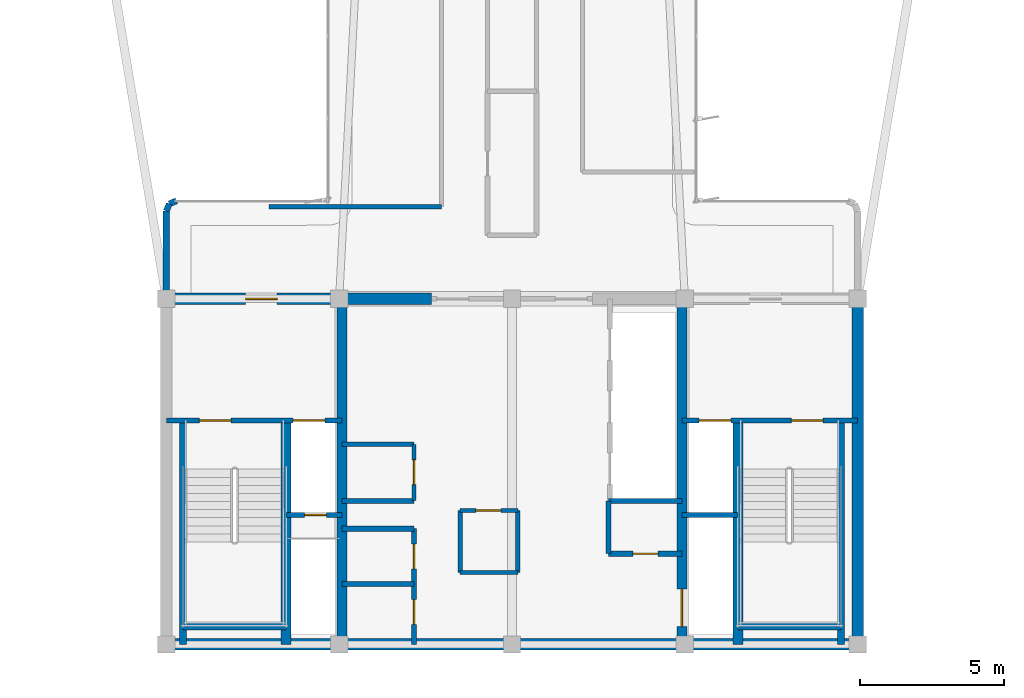
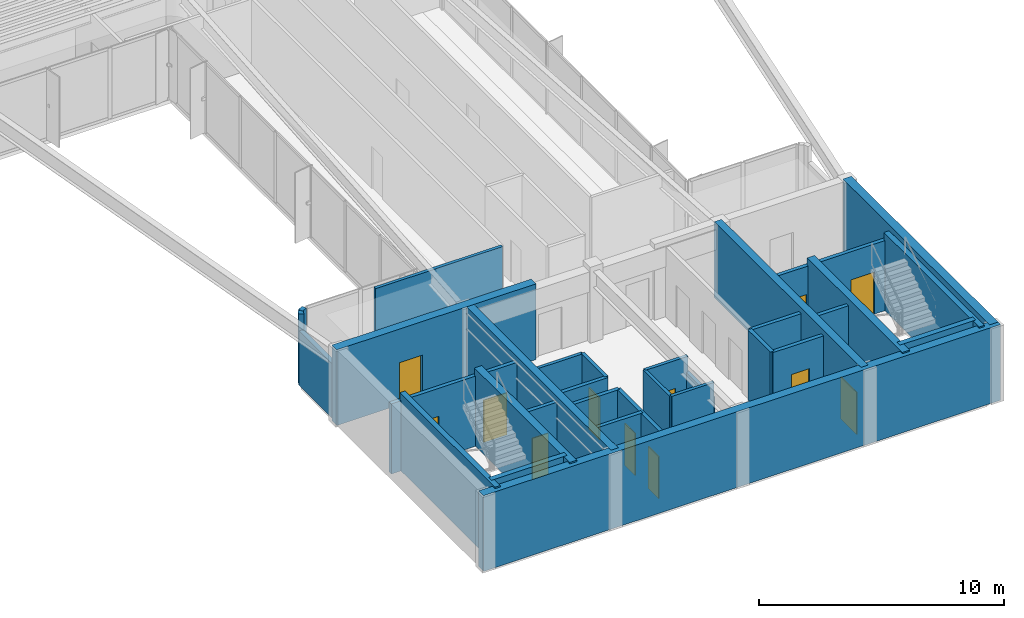
# One storey, part 10 of 15: 32 walls, 12 doors, 12 openings.
"""IFC4 building model written with IfcOpenShell, lengths in metres."""

from ifc_helpers import new_model, si_unit, direction, frame, frame_2d, origin, origin_2d, place, context, subcontext, project, spatial, rectangle, extrude, source, transform, mapped, material, layer, layer_set, type_object, element, fill, save


model = new_model("IFC4")

# Units and contexts
model_context = context("Model", 3, precision=1e-05, world=origin(), true_north=direction((0.0, 1.0)))
body_context = subcontext(model_context, "Body", "Model", "MODEL_VIEW")
ifc_project = project(units=[si_unit("LENGTHUNIT", "METRE"), si_unit("AREAUNIT", "SQUARE_METRE"), si_unit("VOLUMEUNIT", "CUBIC_METRE"), si_unit("PLANEANGLEUNIT", "RADIAN"), si_unit("MASSUNIT", "GRAM", prefix="KILO")], contexts=[model_context])

# Site, building, storey
site_placement = place(None, origin())
site = spatial("IfcSite", under=ifc_project, at=site_placement, CompositionType="ELEMENT")
building_placement = place(site_placement, origin())
building = spatial("IfcBuilding", under=site, at=building_placement, Name="Brelvock Crest Care Tower", CompositionType="ELEMENT")
storey_placement = place(building_placement, frame((0.0, 0.0, 241.919921875)))
storey = spatial("IfcBuildingStorey", under=building, at=storey_placement, Name="L61", CompositionType="ELEMENT", Elevation=241.919921875)

# Walls
ifc_material_1 = material(Name="Concrete S65 (65 MPa)", Category="concrete")
ifc_layer_1 = layer(ifc_material_1, 0.39990234375, Name="WL-CS4")
ifc_layer_set_1 = layer_set([ifc_layer_1], Name="Concrete S65 (65 MPa)")
wall_type_1 = type_object("IfcWallType", Name="WL-CS4", PredefinedType="SHEAR", material=ifc_layer_set_1)
wall_1_placement = place(storey_placement, frame((48.199951171875, 6.0, 0.0), z_axis=(0.0, 0.0, 1.0), x_axis=(-1.0, 0.0, 0.0)))
element("IfcWall", 1, at=wall_1_placement, inside=storey, type_object=wall_type_1, Name="L61 Core South Shear Wall", PredefinedType="SHEAR", context=body_context, shape_type="SweptSolid", body=[
    extrude(rectangle(XDim=24.39990234375, YDim=0.39990234375, at=frame_2d((12.199951171875, 0.0))), origin(), (0.0, 0.0, 1.0), 3.780029296875),
])
wall_2_placement = place(storey_placement, frame((48.0, 18.0, 0.0), z_axis=(0.0, 0.0, 1.0), x_axis=(0.0, -1.0, 0.0)))
element("IfcWall", 2, at=wall_2_placement, inside=storey, type_object=wall_type_1, Name="L61 Core East Shear Wall", PredefinedType="SHEAR", context=body_context, shape_type="SweptSolid", body=[
    extrude(rectangle(XDim=12.0, YDim=0.39990234375, at=frame_2d((6.0, 0.0))), origin(), (0.0, 0.0, 1.0), 3.780029296875),
])

# Wall, opening, door
wall_3_placement = place(storey_placement, frame((23.800048828125, 18.0, 0.0), z_axis=(0.0, 0.0, 1.0), x_axis=(1.0, 0.0, 0.0)))
wall_3 = element("IfcWall", 3, at=wall_3_placement, inside=storey, type_object=wall_type_1, Name="L61 Core North-West Shear Wall", PredefinedType="SHEAR", context=body_context, shape_type="SweptSolid", body=[
    extrude(rectangle(XDim=9.39990234375, YDim=0.39990234375, at=frame_2d((4.699951171875, 0.0))), origin(), (0.0, 0.0, 1.0), 3.780029296875),
])
opening_1_placement = place(wall_3_placement, frame((2.949951171875, 0.0, 0.0)))
opening_1 = element("IfcOpeningElement", 4, at=opening_1_placement, cuts=wall_3, Name="Opening FD-1", PredefinedType="OPENING", context=body_context, shape_type="SweptSolid", body=[
    extrude(rectangle(XDim=1.10009765625, YDim=2.10009765625, at=origin_2d()), frame((0.550048828125, 0.2099609375, 1.050048828125), z_axis=(0.0, -1.0, 0.0), x_axis=(1.0, 0.0, 0.0)), (0.0, 0.0, 1.0), 0.419921875),
])
ifc_material_2 = material(Name="Steel Grade 350", Category="steel")
door_type_1 = type_object("IfcDoorType", Name="DR-FFL1", OperationType="NOTDEFINED", PredefinedType="DOOR", material=ifc_material_2)
shared_shape_1 = source(origin(), body_context, "Body", "SweptSolid", [
    extrude(rectangle(XDim=1.10009765625, YDim=2.10009765625, at=origin_2d()), frame((0.550048828125, 0.02490234375, 1.050048828125), z_axis=(0.0, -1.0, 0.0), x_axis=(1.0, 0.0, 0.0)), (0.0, 0.0, 1.0), 0.050048828125),
])
door_1_placement = place(opening_1_placement, origin())
door_1 = element("IfcDoor", 5, at=door_1_placement, inside=storey, type_object=door_type_1, Name="L61 Firefighting Lobby FFL-1 Exit Door", OperationType="SINGLE_SWING_LEFT", OverallHeight=2.10009765625, OverallWidth=1.10009765625, PredefinedType="DOOR", context=body_context, shape_type="MappedRepresentation", body=[
    mapped(shared_shape_1, transform((0.0, 0.0, 0.0), x_axis=(1.0, 0.0, 0.0), y_axis=(0.0, 1.0, 0.0), z_axis=(0.0, 0.0, 1.0), scale=1.0)),
])
fill(opening_1, door_1)

# Wall
ifc_material_3 = material(Name="Concrete S80 (80 MPa)", Category="concrete")
ifc_layer_2 = layer(ifc_material_3, 0.35009765625, Name="WL-CS5")
ifc_layer_set_2 = layer_set([ifc_layer_2], Name="Concrete S80 (80 MPa)")
wall_type_2 = type_object("IfcWallType", Name="WL-CS5", PredefinedType="SHEAR", material=ifc_layer_set_2)
wall_4_placement = place(storey_placement, frame((30.10009765625, 6.0, 0.0), z_axis=(0.0, 0.0, 1.0), x_axis=(0.0, 1.0, 0.0)))
element("IfcWall", 6, at=wall_4_placement, inside=storey, type_object=wall_type_2, Name="L61 Core Internal Web Wall West", PredefinedType="SHEAR", context=body_context, shape_type="SweptSolid", body=[
    extrude(rectangle(XDim=12.0, YDim=0.35009765625, at=frame_2d((6.0, 0.0))), origin(), (0.0, 0.0, 1.0), 3.780029296875),
])

# Wall, opening, door
wall_5_placement = place(storey_placement, frame((41.89990234375, 18.0, 0.0), z_axis=(0.0, 0.0, 1.0), x_axis=(0.0, -1.0, 0.0)))
wall_5 = element("IfcWall", 7, at=wall_5_placement, inside=storey, type_object=wall_type_2, Name="L61 Core Internal Web Wall East", PredefinedType="SHEAR", context=body_context, shape_type="SweptSolid", body=[
    extrude(rectangle(XDim=12.0, YDim=0.35009765625, at=frame_2d((6.0, 0.0))), origin(), (0.0, 0.0, 1.0), 3.780029296875),
])
opening_2_placement = place(wall_5_placement, frame((10.080078125, 0.0, 0.0)))
opening_2 = element("IfcOpeningElement", 8, at=opening_2_placement, cuts=wall_5, Name="Opening LD-S", PredefinedType="OPENING", context=body_context, shape_type="SweptSolid", body=[
    extrude(rectangle(XDim=1.300048828125, YDim=2.10009765625, at=origin_2d()), frame((0.64990234375, 0.18505859375, 1.050048828125), z_axis=(0.0, -1.0, 0.0), x_axis=(1.0, 0.0, 0.0)), (0.0, 0.0, 1.0), 0.3701171875),
])
door_type_2 = type_object("IfcDoorType", Name="DR-LDS1", OperationType="NOTDEFINED", PredefinedType="DOOR", material=ifc_material_2)
shared_shape_2 = source(origin(), body_context, "Body", "SweptSolid", [
    extrude(rectangle(XDim=1.300048828125, YDim=2.10009765625, at=origin_2d()), frame((0.64990234375, 0.02490234375, 1.050048828125), z_axis=(0.0, -1.0, 0.0), x_axis=(1.0, 0.0, 0.0)), (0.0, 0.0, 1.0), 0.050048828125),
])
door_2_placement = place(opening_2_placement, origin())
door_2 = element("IfcDoor", 9, at=door_2_placement, inside=storey, type_object=door_type_2, Name="L61 Clinical Bed Lift SL-1 Landing Door", OperationType="SLIDING_TO_LEFT", OverallHeight=2.10009765625, OverallWidth=1.300048828125, PredefinedType="DOOR", context=body_context, shape_type="MappedRepresentation", body=[
    mapped(shared_shape_2, transform((0.0, 0.0, 0.0), x_axis=(1.0, 0.0, 0.0), y_axis=(0.0, 1.0, 0.0), z_axis=(0.0, 0.0, 1.0), scale=1.0)),
])
fill(opening_2, door_2)

# Walls
for number, where, z_axis, x_axis, name in (
    (10, (28.14990234375, 6.0, 0.0), (0.0, 0.0, 1.0), (0.0, 1.0, 0.0), "L61 Core Stair ST-1 East Shear Wall"),
    (11, (43.85009765625, 6.0, 0.0), (0.0, 0.0, 1.0), (0.0, 1.0, 0.0), "L61 Core Stair ST-2 West Shear Wall"),
):
    element("IfcWall", number, at=place(storey_placement, frame(where, z_axis=z_axis, x_axis=x_axis)), inside=storey, type_object=wall_type_2, Name=name, PredefinedType="SHEAR", context=body_context, shape_type="SweptSolid", body=[
        extrude(rectangle(XDim=7.780029296875, YDim=0.35009765625, at=frame_2d((3.89013671875, 0.0))), origin(), (0.0, 0.0, 1.0), 3.85009765625),
    ])
ifc_layer_3 = layer(ifc_material_3, 0.25, Name="WL-CS6")
ifc_layer_set_3 = layer_set([ifc_layer_3], Name="Concrete S80 (80 MPa)")
wall_type_3 = type_object("IfcWallType", Name="WL-CS6", PredefinedType="SHEAR", material=ifc_layer_set_3)
wall_6_placement = place(storey_placement, frame((24.580078125, 6.0, 0.0), z_axis=(0.0, 0.0, 1.0), x_axis=(0.0, 1.0, 0.0)))
element("IfcWall", 12, at=wall_6_placement, inside=storey, type_object=wall_type_3, Name="L61 Core Stair ST-1 West Shear Wall", PredefinedType="SHEAR", context=body_context, shape_type="SweptSolid", body=[
    extrude(rectangle(XDim=7.780029296875, YDim=0.25, at=frame_2d((3.89013671875, 0.0))), origin(), (0.0, 0.0, 1.0), 3.85009765625),
])
wall_7_placement = place(storey_placement, frame((24.580078125, 6.6201171875, 0.0), z_axis=(0.0, 0.0, 1.0), x_axis=(1.0, 0.0, 0.0)))
element("IfcWall", 13, at=wall_7_placement, inside=storey, type_object=wall_type_3, Name="L61 Core Stair ST-1 South Shear Wall", PredefinedType="SHEAR", context=body_context, shape_type="SweptSolid", body=[
    extrude(rectangle(XDim=3.56982421875, YDim=0.25, at=frame_2d((1.784912109375, 0.0))), origin(), (0.0, 0.0, 1.0), 3.85009765625),
])
wall_8_placement = place(storey_placement, frame((47.419921875, 6.0, 0.0), z_axis=(0.0, 0.0, 1.0), x_axis=(0.0, 1.0, 0.0)))
element("IfcWall", 14, at=wall_8_placement, inside=storey, type_object=wall_type_3, Name="L61 Core Stair ST-2 East Shear Wall", PredefinedType="SHEAR", context=body_context, shape_type="SweptSolid", body=[
    extrude(rectangle(XDim=7.780029296875, YDim=0.25, at=frame_2d((3.89013671875, 0.0))), origin(), (0.0, 0.0, 1.0), 3.85009765625),
])
wall_9_placement = place(storey_placement, frame((43.85009765625, 6.6201171875, 0.0), z_axis=(0.0, 0.0, 1.0), x_axis=(1.0, 0.0, 0.0)))
element("IfcWall", 15, at=wall_9_placement, inside=storey, type_object=wall_type_3, Name="L61 Core Stair ST-2 South Shear Wall", PredefinedType="SHEAR", context=body_context, shape_type="SweptSolid", body=[
    extrude(rectangle(XDim=3.56982421875, YDim=0.25, at=frame_2d((1.784912109375, 0.0))), origin(), (0.0, 0.0, 1.0), 3.85009765625),
])
ifc_material_4 = material(Name="Precast concrete N40 (40 MPa)", Category="concrete")
ifc_layer_4 = layer(ifc_material_4, 0.215087890625, Name="WL-EX2")
ifc_layer_set_4 = layer_set([ifc_layer_4], Name="Precast concrete N40 (40 MPa)")
wall_type_4 = type_object("IfcWallType", Name="WL-EX2", PredefinedType="SOLIDWALL", material=ifc_layer_set_4)
wall_10_placement = place(storey_placement, frame((24.0, 18.280029296875, 0.0), z_axis=(0.0, 0.0, 1.0), x_axis=(0.0, 1.0, 0.0)))
element("IfcWall", 16, at=wall_10_placement, inside=storey, type_object=wall_type_4, Name="L61 Rounded Corner Wall 07", PredefinedType="SOLIDWALL", context=body_context, shape_type="SweptSolid", body=[
    extrude(rectangle(XDim=2.77001953125, YDim=0.215087890625, at=frame_2d((1.385009765625, 0.0))), origin(), (0.0, 0.0, 1.0), 2.718017578125),
])
wall_11_placement = place(storey_placement, frame((24.0, 21.050048828125, 0.0), z_axis=(0.0, 0.0, 1.0), x_axis=(0.382673670509, 0.923883575944, 0.0)))
element("IfcWall", 17, at=wall_11_placement, inside=storey, type_object=wall_type_4, Name="L61 Rounded Corner Wall 08", PredefinedType="SOLIDWALL", context=body_context, shape_type="SweptSolid", body=[
    extrude(rectangle(XDim=0.26806640625, YDim=0.215087890625, at=frame_2d((0.134033203125, 0.0))), origin(), (0.0, 0.0, 1.0), 3.530029296875),
])
wall_12_placement = place(storey_placement, frame((24.1025390625, 21.297607421875, 0.0), z_axis=(0.0, 0.0, 1.0), x_axis=(0.924205486139, 0.381895560841, 0.0)))
element("IfcWall", 18, at=wall_12_placement, inside=storey, type_object=wall_type_4, Name="L61 Rounded Corner Wall 09", PredefinedType="SOLIDWALL", context=body_context, shape_type="SweptSolid", body=[
    extrude(rectangle(XDim=0.267822265625, YDim=0.215087890625, at=frame_2d((0.1337890625, 0.0))), origin(), (0.0, 0.0, 1.0), 3.530029296875),
])
ifc_material_5 = material(Name="Masonry Blockwork Acoustic Partition", Category="masonry")
ifc_layer_5 = layer(ifc_material_5, 0.14990234375, Name="WL-INT1")
ifc_layer_set_5 = layer_set([ifc_layer_5], Name="Masonry Blockwork Acoustic Partition")
wall_type_5 = type_object("IfcWallType", Name="WL-INT1", PredefinedType="PARTITIONING", material=ifc_layer_set_5)
wall_13_placement = place(storey_placement, frame((30.10009765625, 12.949951171875, 0.0), z_axis=(0.0, 0.0, 1.0), x_axis=(1.0, 0.0, 0.0)))
element("IfcWall", 19, at=wall_13_placement, inside=storey, type_object=wall_type_5, Name="L61 Interior Wall WL-CRCL-N2-L61", PredefinedType="PARTITIONING", context=body_context, shape_type="SweptSolid", body=[
    extrude(rectangle(XDim=2.5, YDim=0.14990234375, at=frame_2d((1.25, 0.0))), origin(), (0.0, 0.0, 1.0), 3.5),
])

# Wall, opening, door
wall_14_placement = place(storey_placement, frame((32.60009765625, 11.0, 0.0), z_axis=(0.0, 0.0, 1.0), x_axis=(0.0, 1.0, 0.0)))
wall_14 = element("IfcWall", 20, at=wall_14_placement, inside=storey, type_object=wall_type_5, Name="L61 Interior Wall WL-CRCL-E-L61", PredefinedType="PARTITIONING", context=body_context, shape_type="SweptSolid", body=[
    extrude(rectangle(XDim=1.949951171875, YDim=0.14990234375, at=frame_2d((0.97509765625, 0.0))), origin(), (0.0, 0.0, 1.0), 3.5),
])
opening_3_placement = place(wall_14_placement, frame((0.550048828125, 0.0, 0.0)))
opening_3 = element("IfcOpeningElement", 21, at=opening_3_placement, cuts=wall_14, Name="Opening ID-1", PredefinedType="OPENING", context=body_context, shape_type="SweptSolid", body=[
    extrude(rectangle(XDim=0.860107421875, YDim=2.10009765625, at=origin_2d()), frame((0.43017578125, 0.0849609375, 1.050048828125), z_axis=(0.0, -1.0, 0.0), x_axis=(1.0, 0.0, 0.0)), (0.0, 0.0, 1.0), 0.169921875),
])
ifc_material_6 = material(Name="Engineered Hardwood Timber", Category="wood")
door_type_3 = type_object("IfcDoorType", Name="DR-INT1", OperationType="NOTDEFINED", PredefinedType="DOOR", material=ifc_material_6)
shared_shape_3 = source(origin(), body_context, "Body", "SweptSolid", [
    extrude(rectangle(XDim=0.860107421875, YDim=2.10009765625, at=origin_2d()), frame((0.43017578125, 0.02490234375, 1.050048828125), z_axis=(0.0, -1.0, 0.0), x_axis=(1.0, 0.0, 0.0)), (0.0, 0.0, 1.0), 0.050048828125),
])
door_3_placement = place(opening_3_placement, origin())
door_3 = element("IfcDoor", 22, at=door_3_placement, inside=storey, type_object=door_type_3, Name="DR-CRCL1-L61", OperationType="SINGLE_SWING_LEFT", OverallHeight=2.10009765625, OverallWidth=0.860107421875, PredefinedType="DOOR", context=body_context, shape_type="MappedRepresentation", body=[
    mapped(shared_shape_3, transform((0.0, 0.0, 0.0), x_axis=(1.0, 0.0, 0.0), y_axis=(0.0, 1.0, 0.0), z_axis=(0.0, 0.0, 1.0), scale=1.0)),
])
fill(opening_3, door_3)

# Walls
wall_15_placement = place(storey_placement, frame((34.199951171875, 8.5, 0.0), z_axis=(0.0, 0.0, 1.0), x_axis=(1.0, 0.0, 0.0)))
element("IfcWall", 23, at=wall_15_placement, inside=storey, type_object=wall_type_5, Name="L61 Interior Wall WL-CRCM-S-L61", PredefinedType="PARTITIONING", context=body_context, shape_type="SweptSolid", body=[
    extrude(rectangle(XDim=2.0, YDim=0.14990234375, at=frame_2d((1.0, 0.0))), origin(), (0.0, 0.0, 1.0), 3.5),
])
wall_16_placement = place(storey_placement, frame((34.199951171875, 8.5, 0.0), z_axis=(0.0, 0.0, 1.0), x_axis=(0.0, 1.0, 0.0)))
element("IfcWall", 24, at=wall_16_placement, inside=storey, type_object=wall_type_5, Name="L61 Interior Wall WL-CRCM-W-L61", PredefinedType="PARTITIONING", context=body_context, shape_type="SweptSolid", body=[
    extrude(rectangle(XDim=2.14990234375, YDim=0.14990234375, at=frame_2d((1.074951171875, 0.0))), origin(), (0.0, 0.0, 1.0), 3.5),
])
wall_17_placement = place(storey_placement, frame((36.199951171875, 8.5, 0.0), z_axis=(0.0, 0.0, 1.0), x_axis=(0.0, 1.0, 0.0)))
element("IfcWall", 25, at=wall_17_placement, inside=storey, type_object=wall_type_5, Name="L61 Interior Wall WL-CRCM-E-L61", PredefinedType="PARTITIONING", context=body_context, shape_type="SweptSolid", body=[
    extrude(rectangle(XDim=2.14990234375, YDim=0.14990234375, at=frame_2d((1.074951171875, 0.0))), origin(), (0.0, 0.0, 1.0), 2.715087890625),
])

# Wall, opening, door
wall_18_placement = place(storey_placement, frame((34.199951171875, 10.64990234375, 0.0), z_axis=(0.0, 0.0, 1.0), x_axis=(1.0, 0.0, 0.0)))
wall_18 = element("IfcWall", 26, at=wall_18_placement, inside=storey, type_object=wall_type_5, Name="L61 Interior Wall WL-CRCM-N-L61", PredefinedType="PARTITIONING", context=body_context, shape_type="SweptSolid", body=[
    extrude(rectangle(XDim=2.0, YDim=0.14990234375, at=frame_2d((1.0, 0.0))), origin(), (0.0, 0.0, 1.0), 3.5),
])
opening_4_placement = place(wall_18_placement, frame((0.550048828125, 0.0, 0.0)))
opening_4 = element("IfcOpeningElement", 27, at=opening_4_placement, cuts=wall_18, Name="Opening ID-1", PredefinedType="OPENING", context=body_context, shape_type="SweptSolid", body=[
    extrude(rectangle(XDim=0.860107421875, YDim=2.10009765625, at=origin_2d()), frame((0.43017578125, 0.0849609375, 1.050048828125), z_axis=(0.0, -1.0, 0.0), x_axis=(1.0, 0.0, 0.0)), (0.0, 0.0, 1.0), 0.169921875),
])
door_4_placement = place(opening_4_placement, origin())
door_4 = element("IfcDoor", 28, at=door_4_placement, inside=storey, type_object=door_type_3, Name="DR-CRCM1-L61", OperationType="SINGLE_SWING_LEFT", OverallHeight=2.10009765625, OverallWidth=0.860107421875, PredefinedType="DOOR", context=body_context, shape_type="MappedRepresentation", body=[
    mapped(shared_shape_3, transform((0.0, 0.0, 0.0), x_axis=(1.0, 0.0, 0.0), y_axis=(0.0, 1.0, 0.0), z_axis=(0.0, 0.0, 1.0), scale=1.0)),
])
fill(opening_4, door_4)

# Walls
wall_19_placement = place(storey_placement, frame((27.5576171875, 21.199951171875, 0.0), z_axis=(0.0, 0.0, 1.0), x_axis=(1.0, 0.0, 0.0)))
element("IfcWall", 29, at=wall_19_placement, inside=storey, type_object=wall_type_5, Name="L61 Interior Wall WL-BX-L61-THRW-S", PredefinedType="PARTITIONING", context=body_context, shape_type="SweptSolid", body=[
    extrude(rectangle(XDim=5.992431640625, YDim=0.14990234375, at=frame_2d((2.99609375, 0.0))), origin(), (0.0, 0.0, 1.0), 3.5),
])
ifc_layer_6 = layer(ifc_material_5, 0.179931640625, Name="WL-SHF1")
ifc_layer_set_6 = layer_set([ifc_layer_6], Name="Masonry Blockwork Acoustic Partition")
wall_type_6 = type_object("IfcWallType", Name="WL-SHF1", PredefinedType="PARTITIONING", material=ifc_layer_set_6)
wall_20_placement = place(storey_placement, frame((30.10009765625, 10.97998046875, 0.0), z_axis=(0.0, 0.0, 1.0), x_axis=(1.0, 0.0, 0.0)))
element("IfcWall", 30, at=wall_20_placement, inside=storey, type_object=wall_type_6, Name="L61 Interior Wall WL-CSBW-N-L61", PredefinedType="PARTITIONING", context=body_context, shape_type="SweptSolid", body=[
    extrude(rectangle(XDim=2.5, YDim=0.179931640625, at=frame_2d((1.25, 0.0))), origin(), (0.0, 0.0, 1.0), 3.5),
])
wall_21_placement = place(storey_placement, frame((39.35009765625, 10.97998046875, 0.0), z_axis=(0.0, 0.0, 1.0), x_axis=(1.0, 0.0, 0.0)))
element("IfcWall", 31, at=wall_21_placement, inside=storey, type_object=wall_type_6, Name="L61 Interior Wall WL-CSBE-N-L61", PredefinedType="PARTITIONING", context=body_context, shape_type="SweptSolid", body=[
    extrude(rectangle(XDim=2.5498046875, YDim=0.179931640625, at=frame_2d((1.27490234375, 0.0))), origin(), (0.0, 0.0, 1.0), 3.5),
])
for number, where, z_axis, x_axis, name in (
    (32, (30.10009765625, 8.10009765625, 0.0), (0.0, 0.0, 1.0), (1.0, 0.0, 0.0), "L61 Interior Wall WL-CSBW-SP-L61"),
    (33, (30.10009765625, 10.02001953125, 0.0), (0.0, 0.0, 1.0), (1.0, 0.0, 0.0), "L61 Interior Wall WL-CSBW-N2-L61"),
):
    element("IfcWall", number, at=place(storey_placement, frame(where, z_axis=z_axis, x_axis=x_axis)), inside=storey, type_object=wall_type_6, Name=name, PredefinedType="PARTITIONING", context=body_context, shape_type="SweptSolid", body=[
        extrude(rectangle(XDim=2.5, YDim=0.179931640625, at=frame_2d((1.25, 0.0))), origin(), (0.0, 0.0, 1.0), 3.5),
    ])

# Wall, openings, doors
wall_22_placement = place(storey_placement, frame((32.60009765625, 6.0, 0.0), z_axis=(0.0, 0.0, 1.0), x_axis=(0.0, 1.0, 0.0)))
wall_22 = element("IfcWall", 34, at=wall_22_placement, inside=storey, type_object=wall_type_6, Name="L61 Interior Wall WL-CSBW-E-L61", PredefinedType="PARTITIONING", context=body_context, shape_type="SweptSolid", body=[
    extrude(rectangle(XDim=4.02001953125, YDim=0.179931640625, at=frame_2d((2.010009765625, 0.0))), origin(), (0.0, 0.0, 1.0), 3.5),
])
opening_5_placement = place(wall_22_placement, frame((0.699951171875, 0.0, 0.0)))
opening_5 = element("IfcOpeningElement", 35, at=opening_5_placement, cuts=wall_22, Name="Opening ID-1", PredefinedType="OPENING", context=body_context, shape_type="SweptSolid", body=[
    extrude(rectangle(XDim=0.860107421875, YDim=2.10009765625, at=origin_2d()), frame((0.43017578125, 0.10009765625, 1.050048828125), z_axis=(0.0, -1.0, 0.0), x_axis=(1.0, 0.0, 0.0)), (0.0, 0.0, 1.0), 0.199951171875),
])
opening_6_placement = place(wall_22_placement, frame((2.6201171875, 0.0, 0.0)))
opening_6 = element("IfcOpeningElement", 36, at=opening_6_placement, cuts=wall_22, Name="Opening ID-1", PredefinedType="OPENING", context=body_context, shape_type="SweptSolid", body=[
    extrude(rectangle(XDim=0.860107421875, YDim=2.10009765625, at=origin_2d()), frame((0.43017578125, 0.10009765625, 1.050048828125), z_axis=(0.0, -1.0, 0.0), x_axis=(1.0, 0.0, 0.0)), (0.0, 0.0, 1.0), 0.199951171875),
])
door_5_placement = place(opening_5_placement, origin())
door_5 = element("IfcDoor", 37, at=door_5_placement, inside=storey, type_object=door_type_3, Name="DR-CSBW1-L61", OperationType="SINGLE_SWING_LEFT", OverallHeight=2.10009765625, OverallWidth=0.860107421875, PredefinedType="DOOR", context=body_context, shape_type="MappedRepresentation", body=[
    mapped(shared_shape_3, transform((0.0, 0.0, 0.0), x_axis=(1.0, 0.0, 0.0), y_axis=(0.0, 1.0, 0.0), z_axis=(0.0, 0.0, 1.0), scale=1.0)),
])
fill(opening_5, door_5)
door_6_placement = place(opening_6_placement, origin())
door_6 = element("IfcDoor", 38, at=door_6_placement, inside=storey, type_object=door_type_3, Name="DR-CSBW2-L61", OperationType="SINGLE_SWING_RIGHT", OverallHeight=2.10009765625, OverallWidth=0.860107421875, PredefinedType="DOOR", context=body_context, shape_type="MappedRepresentation", body=[
    mapped(shared_shape_3, transform((0.0, 0.0, 0.0), x_axis=(1.0, 0.0, 0.0), y_axis=(0.0, 1.0, 0.0), z_axis=(0.0, 0.0, 1.0), scale=1.0)),
])
fill(opening_6, door_6)

# Wall
wall_23_placement = place(storey_placement, frame((39.35009765625, 9.14990234375, 0.0), z_axis=(0.0, 0.0, 1.0), x_axis=(0.0, 1.0, 0.0)))
element("IfcWall", 39, at=wall_23_placement, inside=storey, type_object=wall_type_6, Name="L61 Interior Wall WL-CSBE-W-L61", PredefinedType="PARTITIONING", context=body_context, shape_type="SweptSolid", body=[
    extrude(rectangle(XDim=1.830078125, YDim=0.179931640625, at=frame_2d((0.9150390625, 0.0))), origin(), (0.0, 0.0, 1.0), 3.5),
])

# Wall, opening, door
wall_24_placement = place(storey_placement, frame((39.35009765625, 9.14990234375, 0.0), z_axis=(0.0, 0.0, 1.0), x_axis=(1.0, 0.0, 0.0)))
wall_24 = element("IfcWall", 40, at=wall_24_placement, inside=storey, type_object=wall_type_6, Name="L61 Interior Wall WL-CSBE-S-L61", PredefinedType="PARTITIONING", context=body_context, shape_type="SweptSolid", body=[
    extrude(rectangle(XDim=2.5498046875, YDim=0.179931640625, at=frame_2d((1.27490234375, 0.0))), origin(), (0.0, 0.0, 1.0), 3.5),
])
opening_7_placement = place(wall_24_placement, frame((0.85009765625, 0.0, 0.0)))
opening_7 = element("IfcOpeningElement", 41, at=opening_7_placement, cuts=wall_24, Name="Opening ID-1", PredefinedType="OPENING", context=body_context, shape_type="SweptSolid", body=[
    extrude(rectangle(XDim=0.860107421875, YDim=2.10009765625, at=origin_2d()), frame((0.43017578125, 0.10009765625, 1.050048828125), z_axis=(0.0, -1.0, 0.0), x_axis=(1.0, 0.0, 0.0)), (0.0, 0.0, 1.0), 0.199951171875),
])
door_7_placement = place(opening_7_placement, origin())
door_7 = element("IfcDoor", 42, at=door_7_placement, inside=storey, type_object=door_type_3, Name="DR-CSBE-L61", OperationType="SINGLE_SWING_LEFT", OverallHeight=2.10009765625, OverallWidth=0.860107421875, PredefinedType="DOOR", context=body_context, shape_type="MappedRepresentation", body=[
    mapped(shared_shape_3, transform((0.0, 0.0, 0.0), x_axis=(1.0, 0.0, 0.0), y_axis=(0.0, 1.0, 0.0), z_axis=(0.0, 0.0, 1.0), scale=1.0)),
])
fill(opening_7, door_7)

# Wall, openings, doors
wall_25_placement = place(storey_placement, frame((24.0, 13.780029296875, 0.0), z_axis=(0.0, 0.0, 1.0), x_axis=(1.0, 0.0, 0.0)))
wall_25 = element("IfcWall", 43, at=wall_25_placement, inside=storey, type_object=wall_type_6, Name="L61 Interior Wall WL-ST1-N-L61", PredefinedType="PARTITIONING", context=body_context, shape_type="SweptSolid", body=[
    extrude(rectangle(XDim=6.10009765625, YDim=0.179931640625, at=frame_2d((3.050048828125, 0.0))), origin(), (0.0, 0.0, 1.0), 3.5),
])
opening_8_placement = place(wall_25_placement, frame((1.14990234375, 0.0, 0.0)))
opening_8 = element("IfcOpeningElement", 44, at=opening_8_placement, cuts=wall_25, Name="Opening SD-1", PredefinedType="OPENING", context=body_context, shape_type="SweptSolid", body=[
    extrude(rectangle(XDim=1.10009765625, YDim=2.10009765625, at=origin_2d()), frame((0.550048828125, 0.10009765625, 1.050048828125), z_axis=(0.0, -1.0, 0.0), x_axis=(1.0, 0.0, 0.0)), (0.0, 0.0, 1.0), 0.199951171875),
])
opening_9_placement = place(wall_25_placement, frame((4.39990234375, 0.0, 0.0)))
opening_9 = element("IfcOpeningElement", 45, at=opening_9_placement, cuts=wall_25, Name="Opening LD", PredefinedType="OPENING", context=body_context, shape_type="SweptSolid", body=[
    extrude(rectangle(XDim=1.10009765625, YDim=2.10009765625, at=origin_2d()), frame((0.550048828125, 0.10009765625, 1.050048828125), z_axis=(0.0, -1.0, 0.0), x_axis=(1.0, 0.0, 0.0)), (0.0, 0.0, 1.0), 0.199951171875),
])
door_type_4 = type_object("IfcDoorType", Name="DR-ST1", OperationType="NOTDEFINED", PredefinedType="DOOR", material=ifc_material_2)
shared_shape_4 = source(origin(), body_context, "Body", "SweptSolid", [
    extrude(rectangle(XDim=1.10009765625, YDim=2.10009765625, at=origin_2d()), frame((0.550048828125, 0.02490234375, 1.050048828125), z_axis=(0.0, -1.0, 0.0), x_axis=(1.0, 0.0, 0.0)), (0.0, 0.0, 1.0), 0.050048828125),
])
door_8_placement = place(opening_8_placement, origin())
door_8 = element("IfcDoor", 46, at=door_8_placement, inside=storey, type_object=door_type_4, Name="L61 Fire Stair ST-1 Door", OperationType="SINGLE_SWING_LEFT", OverallHeight=2.10009765625, OverallWidth=1.10009765625, PredefinedType="DOOR", context=body_context, shape_type="MappedRepresentation", body=[
    mapped(shared_shape_4, transform((0.0, 0.0, 0.0), x_axis=(1.0, 0.0, 0.0), y_axis=(0.0, 1.0, 0.0), z_axis=(0.0, 0.0, 1.0), scale=1.0)),
])
fill(opening_8, door_8)
door_type_5 = type_object("IfcDoorType", Name="DR-LD1", OperationType="NOTDEFINED", PredefinedType="DOOR", material=ifc_material_2)
shared_shape_5 = source(origin(), body_context, "Body", "SweptSolid", [
    extrude(rectangle(XDim=1.10009765625, YDim=2.10009765625, at=origin_2d()), frame((0.550048828125, 0.02490234375, 1.050048828125), z_axis=(0.0, -1.0, 0.0), x_axis=(1.0, 0.0, 0.0)), (0.0, 0.0, 1.0), 0.050048828125),
])
door_9_placement = place(opening_9_placement, origin())
door_9 = element("IfcDoor", 47, at=door_9_placement, inside=storey, type_object=door_type_5, Name="L61 Firefighting Lift FFL-1 Landing Door", OperationType="SLIDING_TO_LEFT", OverallHeight=2.10009765625, OverallWidth=1.10009765625, PredefinedType="DOOR", context=body_context, shape_type="MappedRepresentation", body=[
    mapped(shared_shape_5, transform((0.0, 0.0, 0.0), x_axis=(1.0, 0.0, 0.0), y_axis=(0.0, 1.0, 0.0), z_axis=(0.0, 0.0, 1.0), scale=1.0)),
])
fill(opening_9, door_9)

# Wall, opening, door
wall_26_placement = place(storey_placement, frame((28.14990234375, 10.5, 0.0), z_axis=(0.0, 0.0, 1.0), x_axis=(1.0, 0.0, 0.0)))
wall_26 = element("IfcWall", 48, at=wall_26_placement, inside=storey, type_object=wall_type_6, Name="L61 Interior Wall WL-FFH1-S-L61", PredefinedType="PARTITIONING", context=body_context, shape_type="SweptSolid", body=[
    extrude(rectangle(XDim=1.9501953125, YDim=0.179931640625, at=frame_2d((0.97509765625, 0.0))), origin(), (0.0, 0.0, 1.0), 3.5),
])
opening_10_placement = place(wall_26_placement, frame((0.64990234375, 0.0, 0.0)))
opening_10 = element("IfcOpeningElement", 49, at=opening_10_placement, cuts=wall_26, Name="Opening RD-1", PredefinedType="OPENING", context=body_context, shape_type="SweptSolid", body=[
    extrude(rectangle(XDim=0.760009765625, YDim=2.050048828125, at=origin_2d()), frame((0.3798828125, 0.10009765625, 1.02490234375), z_axis=(0.0, -1.0, 0.0), x_axis=(1.0, 0.0, 0.0)), (0.0, 0.0, 1.0), 0.199951171875),
])
door_type_6 = type_object("IfcDoorType", Name="DR-RIS1", OperationType="NOTDEFINED", PredefinedType="DOOR", material=ifc_material_2)
shared_shape_6 = source(origin(), body_context, "Body", "SweptSolid", [
    extrude(rectangle(XDim=0.760009765625, YDim=2.050048828125, at=origin_2d()), frame((0.3798828125, 0.02490234375, 1.02490234375), z_axis=(0.0, -1.0, 0.0), x_axis=(1.0, 0.0, 0.0)), (0.0, 0.0, 1.0), 0.050048828125),
])
door_10_placement = place(opening_10_placement, origin())
door_10 = element("IfcDoor", 50, at=door_10_placement, inside=storey, type_object=door_type_6, Name="L61 Wet Fire Riser Access Door", OperationType="SINGLE_SWING_LEFT", OverallHeight=2.050048828125, OverallWidth=0.760009765625, PredefinedType="DOOR", context=body_context, shape_type="MappedRepresentation", body=[
    mapped(shared_shape_6, transform((0.0, 0.0, 0.0), x_axis=(1.0, 0.0, 0.0), y_axis=(0.0, 1.0, 0.0), z_axis=(0.0, 0.0, 1.0), scale=1.0)),
])
fill(opening_10, door_10)

# Wall, openings, doors
wall_27_placement = place(storey_placement, frame((41.89990234375, 13.780029296875, 0.0), z_axis=(0.0, 0.0, 1.0), x_axis=(1.0, 0.0, 0.0)))
wall_27 = element("IfcWall", 51, at=wall_27_placement, inside=storey, type_object=wall_type_6, Name="L61 Interior Wall WL-ST2-N-L61", PredefinedType="PARTITIONING", context=body_context, shape_type="SweptSolid", body=[
    extrude(rectangle(XDim=6.10009765625, YDim=0.179931640625, at=frame_2d((3.050048828125, 0.0))), origin(), (0.0, 0.0, 1.0), 3.5),
])
opening_11_placement = place(wall_27_placement, frame((0.60009765625, 0.0, 0.0)))
opening_11 = element("IfcOpeningElement", 52, at=opening_11_placement, cuts=wall_27, Name="Opening LD", PredefinedType="OPENING", context=body_context, shape_type="SweptSolid", body=[
    extrude(rectangle(XDim=1.10009765625, YDim=2.10009765625, at=origin_2d()), frame((0.550048828125, 0.10009765625, 1.050048828125), z_axis=(0.0, -1.0, 0.0), x_axis=(1.0, 0.0, 0.0)), (0.0, 0.0, 1.0), 0.199951171875),
])
opening_12_placement = place(wall_27_placement, frame((3.800048828125, 0.0, 0.0)))
opening_12 = element("IfcOpeningElement", 53, at=opening_12_placement, cuts=wall_27, Name="Opening SD-1", PredefinedType="OPENING", context=body_context, shape_type="SweptSolid", body=[
    extrude(rectangle(XDim=1.10009765625, YDim=2.10009765625, at=origin_2d()), frame((0.550048828125, 0.10009765625, 1.050048828125), z_axis=(0.0, -1.0, 0.0), x_axis=(1.0, 0.0, 0.0)), (0.0, 0.0, 1.0), 0.199951171875),
])
door_11_placement = place(opening_12_placement, origin())
door_11 = element("IfcDoor", 54, at=door_11_placement, inside=storey, type_object=door_type_4, Name="L61 Fire Stair ST-2 Door", OperationType="SINGLE_SWING_RIGHT", OverallHeight=2.10009765625, OverallWidth=1.10009765625, PredefinedType="DOOR", context=body_context, shape_type="MappedRepresentation", body=[
    mapped(shared_shape_4, transform((0.0, 0.0, 0.0), x_axis=(1.0, 0.0, 0.0), y_axis=(0.0, 1.0, 0.0), z_axis=(0.0, 0.0, 1.0), scale=1.0)),
])
fill(opening_12, door_11)
door_12_placement = place(opening_11_placement, origin())
door_12 = element("IfcDoor", 55, at=door_12_placement, inside=storey, type_object=door_type_5, Name="L61 Firefighting Lift FFL-2 Landing Door", OperationType="SLIDING_TO_RIGHT", OverallHeight=2.10009765625, OverallWidth=1.10009765625, PredefinedType="DOOR", context=body_context, shape_type="MappedRepresentation", body=[
    mapped(shared_shape_5, transform((0.0, 0.0, 0.0), x_axis=(1.0, 0.0, 0.0), y_axis=(0.0, 1.0, 0.0), z_axis=(0.0, 0.0, 1.0), scale=1.0)),
])
fill(opening_11, door_12)

# Wall
wall_28_placement = place(storey_placement, frame((41.89990234375, 10.5, 0.0), z_axis=(0.0, 0.0, 1.0), x_axis=(1.0, 0.0, 0.0)))
element("IfcWall", 56, at=wall_28_placement, inside=storey, type_object=wall_type_6, Name="L61 Interior Wall WL-FFH2-S-L61", PredefinedType="PARTITIONING", context=body_context, shape_type="SweptSolid", body=[
    extrude(rectangle(XDim=1.9501953125, YDim=0.179931640625, at=frame_2d((0.97509765625, 0.0))), origin(), (0.0, 0.0, 1.0), 3.5),
])

save(model, "model.ifc")
